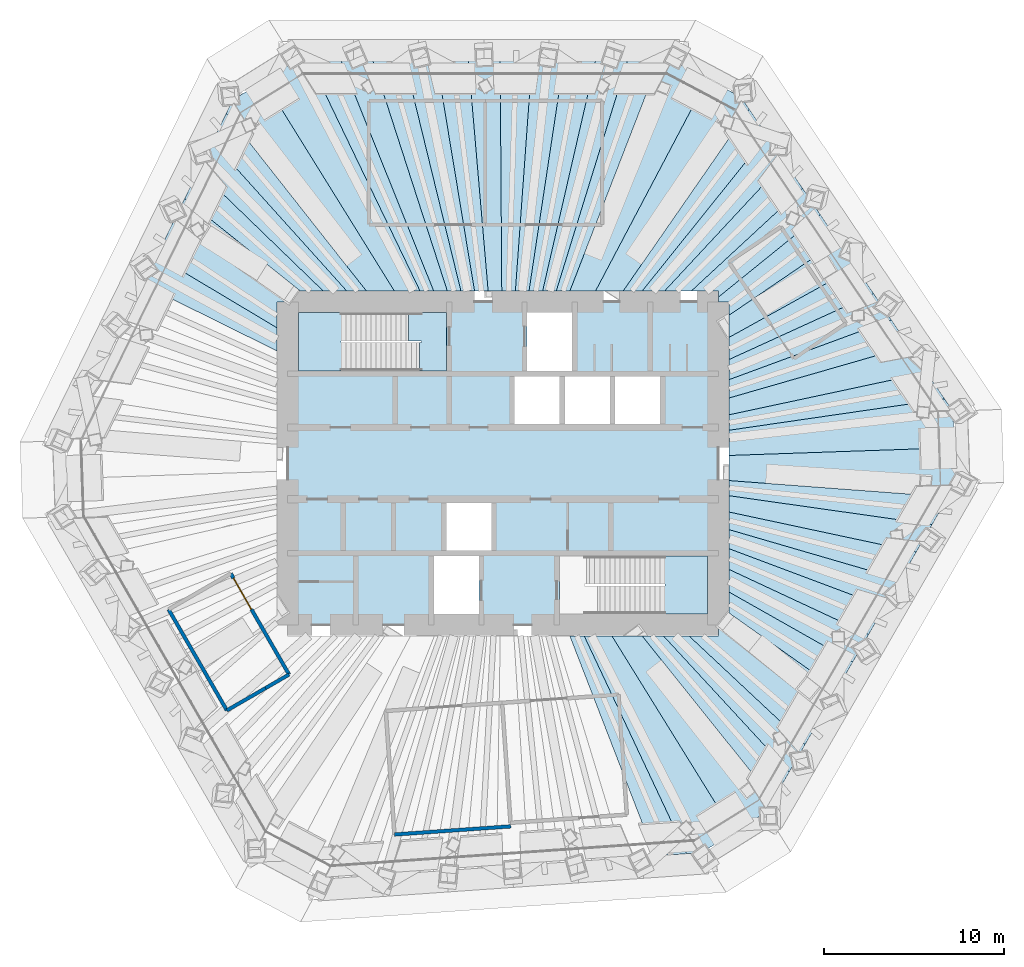
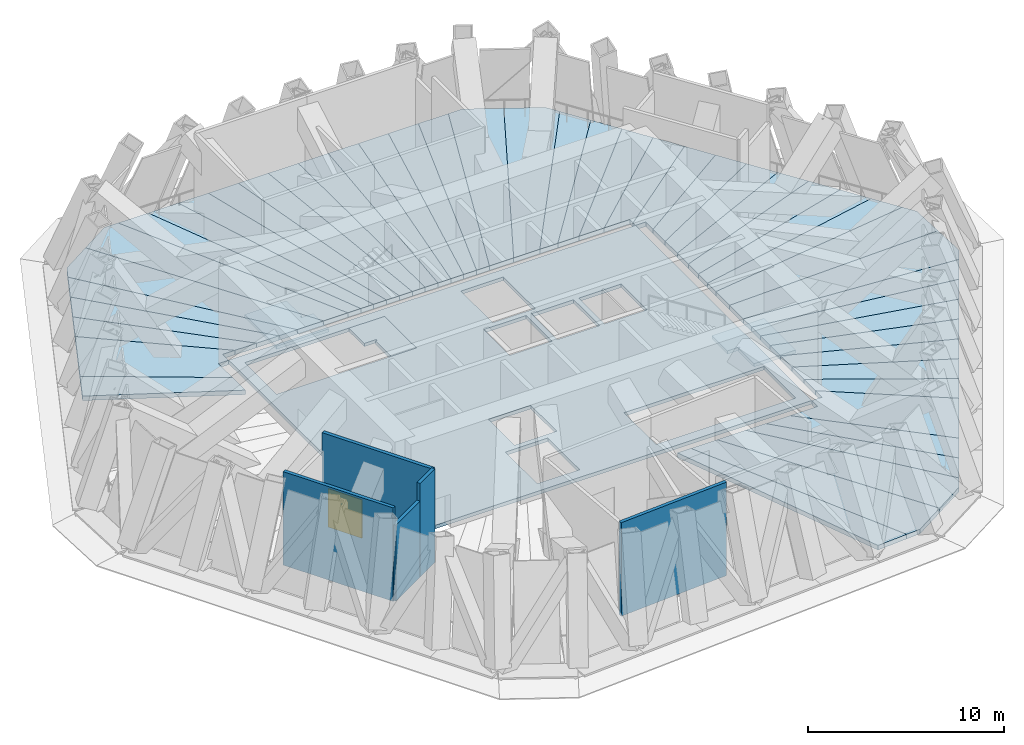
# One storey, part 6 of 12: 50 slabs, 5 walls, 1 door, 1 opening, 2 elements without a shape of their own.
"""IFC4 building model written with IfcOpenShell, lengths in metres."""

import ifcopenshell
import ifcopenshell.guid

model = None  # the IFC model being written
_history = None  # IfcOwnerHistory: only IFC2X3 demands one
_inside = {}  # id of a spatial element -> (the spatial element, [elements in it])
_under = {}  # id of a project, library or spatial element -> (it, [spatial elements below it])
_declared = {}  # id of a project -> (the project, [libraries it declares])
_typed = {}  # id of a type object -> (the type object, [elements of that type])
_made_of = {}  # id of a material, layer set ... -> (it, [elements and type objects made of it])


def new_model(schema):
    """Start an empty IFC model of exactly this schema.

    Asked for "IFC4X3", IfcOpenShell would pick the latest addendum, in which some entities
    have other attributes; the version numbers below select the first issue.
    IFC2X3 requires an IfcOwnerHistory on every rooted entity: one is made here for all.
    """
    global model, _history
    if schema == "IFC4X3":
        model = ifcopenshell.file(schema_version=(4, 3, 0, 0))
    else:
        model = ifcopenshell.file(schema=schema)
    _inside.clear()
    _under.clear()
    _declared.clear()
    _typed.clear()
    _made_of.clear()
    _history = None
    if model.schema == "IFC2X3":
        org = make("IfcOrganization", Name="unknown")
        user = make(
            "IfcPersonAndOrganization",
            ThePerson=make("IfcPerson", FamilyName="unknown"),
            TheOrganization=org,
        )
        app = make(
            "IfcApplication",
            ApplicationDeveloper=org,
            Version="unknown",
            ApplicationFullName="unknown",
            ApplicationIdentifier="unknown",
        )
        _history = make(
            "IfcOwnerHistory",
            OwningUser=user,
            OwningApplication=app,
            ChangeAction="ADDED",
            CreationDate=0,
        )
    return model


def make(cls, **values):
    """One entity of the class cls with the attributes given. An attribute that is None is left unset."""
    return model.create_entity(
        cls, **{name: value for name, value in values.items() if value is not None}
    )


def rooted(cls, **values):
    """An entity with a GlobalId (a new one), such as an element, a storey or a relation."""
    return make(cls, GlobalId=ifcopenshell.guid.new(), OwnerHistory=_history, **values)


def si_unit(unit_type, name, prefix=None):
    """IfcSIUnit, for example si_unit("LENGTHUNIT", "METRE", prefix="MILLI")."""
    return make("IfcSIUnit", UnitType=unit_type, Prefix=prefix, Name=name)


def assignment(units):
    """IfcUnitAssignment: the units of a project."""
    return None if units is None else make("IfcUnitAssignment", Units=units)


def point(xyz):
    """IfcCartesianPoint."""
    return None if xyz is None else make("IfcCartesianPoint", Coordinates=xyz)


def direction(xyz):
    """IfcDirection."""
    return None if xyz is None else make("IfcDirection", DirectionRatios=xyz)


def frame(location, z_axis=None, x_axis=None):
    """IfcAxis2Placement3D, a coordinate frame: its origin and axes. An axis left out is left unset."""
    return make(
        "IfcAxis2Placement3D",
        Location=point(location),
        Axis=direction(z_axis),
        RefDirection=direction(x_axis),
    )


def frame_2d(location, x_axis=None):
    """IfcAxis2Placement2D, a coordinate frame in the plane: its origin and x axis."""
    return make(
        "IfcAxis2Placement2D", Location=point(location), RefDirection=direction(x_axis)
    )


def origin():
    """The frame at (0, 0, 0) with its axes left unset."""
    return frame((0.0, 0.0, 0.0))


def place(relative_to, where):
    """IfcLocalPlacement: puts the frame where relative to a parent placement (None: the world)."""
    return make(
        "IfcLocalPlacement", PlacementRelTo=relative_to, RelativePlacement=where
    )


def context(
    kind, dimensions, precision=None, world=None, true_north=None, identifier=None
):
    """IfcGeometricRepresentationContext, for example the 3D "Model" context."""
    return make(
        "IfcGeometricRepresentationContext",
        ContextIdentifier=identifier,
        ContextType=kind,
        CoordinateSpaceDimension=dimensions,
        Precision=precision,
        WorldCoordinateSystem=world,
        TrueNorth=true_north,
    )


def subcontext(parent, identifier, kind, view, scale=None):
    """IfcGeometricRepresentationSubContext, for example "Body" below "Model"."""
    return make(
        "IfcGeometricRepresentationSubContext",
        ContextIdentifier=identifier,
        ContextType=kind,
        ParentContext=parent,
        TargetScale=scale,
        TargetView=view,
    )


def project(units=None, contexts=None):
    """IfcProject with its units and contexts."""
    return rooted(
        "IfcProject",
        Name="project",
        RepresentationContexts=contexts,
        UnitsInContext=assignment(units),
    )


def spatial(cls, under=None, at=None, **own):
    """A site, building, storey or space (cls), placed at a placement, below another one or the project."""
    s = rooted(cls, ObjectPlacement=at, **own)
    if under is not None:
        _under.setdefault(under.id(), (under, []))[1].append(s)
    return s


def polyline(points):
    """IfcPolyline through the points."""
    return make("IfcPolyline", Points=[point(p) for p in points])


def profile(cls, at=None, kind="AREA", **sizes):
    """A parametric profile (cls). Its sizes go by their IFC names, for example OverallWidth=200.0."""
    return make(cls, ProfileType=kind, Position=at, **sizes)


def rectangle(**sizes):
    """IfcRectangleProfileDef."""
    return profile("IfcRectangleProfileDef", **sizes)


def outline(outer, holes=None, kind="AREA"):
    """IfcArbitraryClosedProfileDef: a profile drawn as a closed curve; with holes, ...WithVoids."""
    if holes is None:
        return make("IfcArbitraryClosedProfileDef", ProfileType=kind, OuterCurve=outer)
    return make(
        "IfcArbitraryProfileDefWithVoids",
        ProfileType=kind,
        OuterCurve=outer,
        InnerCurves=holes,
    )


def extrude(swept, where, along, depth):
    """IfcExtrudedAreaSolid: the profile swept, set in the frame where, extruded along a direction by depth."""
    return make(
        "IfcExtrudedAreaSolid",
        SweptArea=swept,
        Position=where,
        ExtrudedDirection=direction(along),
        Depth=depth,
    )


def shape(context_of_items, identifier, shape_type, items):
    """IfcShapeRepresentation: the items that make up one representation, for example the "Body"."""
    return make(
        "IfcShapeRepresentation",
        ContextOfItems=context_of_items,
        RepresentationIdentifier=identifier,
        RepresentationType=shape_type,
        Items=items,
    )


def material(Name=None, Category=None):
    """IfcMaterial."""
    return make("IfcMaterial", Name=Name, Category=Category)


def layer(
    of_material, thickness, ventilated=None, Name=None, Category=None, Priority=None
):
    """IfcMaterialLayer: one layer of a wall or slab, of a material (None: an air gap)."""
    return make(
        "IfcMaterialLayer",
        Material=of_material,
        LayerThickness=thickness,
        IsVentilated=ventilated,
        Name=Name,
        Category=Category,
        Priority=Priority,
    )


def layer_set(layers, Name=None):
    """IfcMaterialLayerSet."""
    return make("IfcMaterialLayerSet", MaterialLayers=layers, LayerSetName=Name)


def made_of(thing, what):
    """Note that an element or type object is made of a material, layer set ...; save() writes the relation."""
    if what is not None:
        _made_of.setdefault(what.id(), (what, []))[1].append(thing)
    return thing


def type_object(cls, material=None, **own):
    """A type object (cls), such as IfcWallType, which elements share."""
    return made_of(rooted(cls, **own), material)


def element(
    cls,
    number,
    at=None,
    inside=None,
    cuts=None,
    type_object=None,
    material=None,
    context=None,
    identifier="Body",
    shape_type=None,
    held_by="IfcProductDefinitionShape",
    body=None,
    shapes=None,
    **own,
):
    """One element of the class cls, such as IfcWall. Its Tag is "e" and its number.

    at: its placement. inside: the storey or other place that contains it. cuts: it is an
    opening in that element (IfcRelVoidsElement). A single representation is given by context,
    identifier, shape_type and body (its items); several are given by shapes. held_by: the class
    of the entity that holds the representations. save() writes the other relations.
    """
    e = rooted(cls, Tag="e%d" % number, ObjectPlacement=at, **own)
    if body is not None:
        shapes = [shape(context, identifier, shape_type, body)]
    if shapes is not None:
        e.Representation = make(held_by, Representations=shapes)
    if inside is not None:
        _inside.setdefault(inside.id(), (inside, []))[1].append(e)
    if cuts is not None:
        rooted(
            "IfcRelVoidsElement", RelatingBuildingElement=cuts, RelatedOpeningElement=e
        )
    if type_object is not None:
        _typed.setdefault(type_object.id(), (type_object, []))[1].append(e)
    return made_of(e, material)


def fill(opening, filler):
    """IfcRelFillsElement: the door or window that sits in an opening."""
    return rooted(
        "IfcRelFillsElement",
        RelatingOpeningElement=opening,
        RelatedBuildingElement=filler,
    )


def aggregate(whole, parts):
    """IfcRelAggregates: a whole, such as a stair, and the parts it consists of."""
    return rooted("IfcRelAggregates", RelatingObject=whole, RelatedObjects=parts)


def save(model, path):
    """Write the relations noted so far, then the file.

    IfcRelAggregates (storeys below a building ...), IfcRelContainedInSpatialStructure (elements
    in a storey), IfcRelDefinesByType, IfcRelAssociatesMaterial and IfcRelDeclares: one each for
    every whole, place, type object, material and project.
    """
    for whole, parts in _under.values():
        aggregate(whole, parts)
    for where, things in _inside.values():
        rooted(
            "IfcRelContainedInSpatialStructure",
            RelatedElements=things,
            RelatingStructure=where,
        )
    for kind, things in _typed.values():
        rooted("IfcRelDefinesByType", RelatedObjects=things, RelatingType=kind)
    for what, things in _made_of.values():
        rooted("IfcRelAssociatesMaterial", RelatedObjects=things, RelatingMaterial=what)
    for by, libraries in _declared.values():
        rooted("IfcRelDeclares", RelatingContext=by, RelatedDefinitions=libraries)
    model.write(path)


model = new_model("IFC4")

# Units and contexts
model_context = context("Model", 3, precision=1e-05, world=origin(), true_north=direction((0.0, 1.0)))
body_context = subcontext(model_context, "Body", "Model", "MODEL_VIEW")
ifc_project = project(units=[si_unit("LENGTHUNIT", "METRE"), si_unit("AREAUNIT", "SQUARE_METRE"), si_unit("VOLUMEUNIT", "CUBIC_METRE"), si_unit("PLANEANGLEUNIT", "RADIAN"), si_unit("MASSUNIT", "GRAM", prefix="KILO")], contexts=[model_context])

# Site, building, storey
site_placement = place(None, origin())
site = spatial("IfcSite", under=ifc_project, at=site_placement, CompositionType="ELEMENT")
building_placement = place(site_placement, origin())
building = spatial("IfcBuilding", under=site, at=building_placement, Name="Qingtian Harvest Tower", CompositionType="ELEMENT")
storey_placement = place(building_placement, frame((0.0, 0.0, 256.0)))
storey = spatial("IfcBuildingStorey", under=building, at=storey_placement, Name="L56", CompositionType="ELEMENT", Elevation=256.0)

# Slabs
ifc_material_1 = material(Name="Concrete fc' 35 MPa", Category="concrete")
ifc_layer_1 = layer(ifc_material_1, 0.280029296875)
ifc_layer_set_1 = layer_set([ifc_layer_1], Name="Composite floor slab FS28 280")
slab_type_1 = type_object("IfcSlabType", Name="Composite floor slab FS28 280", PredefinedType="FLOOR", material=ifc_layer_set_1)
slab_1_placement = place(storey_placement, frame((0.0, 0.0, -0.280029296875)))
element("IfcSlab", 1, at=slab_1_placement, inside=storey, type_object=slab_type_1, Name="Floor slab L56 panel D25", PredefinedType="FLOOR", context=body_context, shape_type="SweptSolid", body=[
    extrude(outline(polyline([(4.5185546875, -9.60009765625), (10.23193359375, -21.744140625), (8.466552734375, -21.86767578125), (3.718017578125, -9.60009765625), (4.5185546875, -9.60009765625)])), origin(), (0.0, 0.0, 1.0), 0.280029296875),
])
slab_2_placement = place(storey_placement, frame((0.0, 0.0, -0.280029296875)))
element("IfcSlab", 2, at=slab_2_placement, inside=storey, type_object=slab_type_1, Name="Floor slab L56 panel D26", PredefinedType="FLOOR", context=body_context, shape_type="SweptSolid", body=[
    extrude(outline(polyline([(4.5185546875, -9.60009765625), (6.059326171875, -9.60009765625), (12.851806640625, -20.5625), (11.052734375, -21.686767578125), (10.23193359375, -21.744140625), (4.5185546875, -9.60009765625)])), origin(), (0.0, 0.0, 1.0), 0.280029296875),
])
slab_3_placement = place(storey_placement, frame((0.0, 0.0, -0.280029296875)))
element("IfcSlab", 3, at=slab_3_placement, inside=storey, type_object=slab_type_1, Name="Floor slab L56 panel D27", PredefinedType="FLOOR", context=body_context, shape_type="SweptSolid", body=[
    extrude(outline(polyline([(6.059326171875, -9.60009765625), (7.740966796875, -9.60009765625), (15.05859375, -18.7275390625), (14.646728515625, -19.44091796875), (12.851806640625, -20.5625), (6.059326171875, -9.60009765625)])), origin(), (0.0, 0.0, 1.0), 0.280029296875),
])
slab_4_placement = place(storey_placement, frame((0.0, 0.0, -0.280029296875)))
element("IfcSlab", 4, at=slab_4_placement, inside=storey, type_object=slab_type_1, Name="Floor slab L56 panel D28", PredefinedType="FLOOR", context=body_context, shape_type="SweptSolid", body=[
    extrude(outline(polyline([(8.929443359375, -9.60009765625), (15.94384765625, -17.194580078125), (15.05859375, -18.7275390625), (7.740966796875, -9.60009765625), (8.929443359375, -9.60009765625)])), origin(), (0.0, 0.0, 1.0), 0.280029296875),
])
slab_5_placement = place(storey_placement, frame((0.0, 0.0, -0.280029296875)))
element("IfcSlab", 5, at=slab_5_placement, inside=storey, type_object=slab_type_1, Name="Floor slab L56 panel D29", PredefinedType="FLOOR", context=body_context, shape_type="SweptSolid", body=[
    extrude(outline(polyline([(10.35205078125, -9.60009765625), (16.828857421875, -15.66162109375), (15.94384765625, -17.194580078125), (8.929443359375, -9.60009765625), (10.35205078125, -9.60009765625)])), origin(), (0.0, 0.0, 1.0), 0.280029296875),
])
slab_6_placement = place(storey_placement, frame((0.0, 0.0, -0.280029296875)))
element("IfcSlab", 6, at=slab_6_placement, inside=storey, type_object=slab_type_1, Name="Floor slab L56 panel D31", PredefinedType="FLOOR", context=body_context, shape_type="SweptSolid", body=[
    extrude(outline(polyline([(12.60009765625, -8.33984375), (18.603759765625, -12.587158203125), (16.828857421875, -15.66162109375), (10.35205078125, -9.60009765625), (12.0, -9.60009765625), (12.0, -9.0), (12.60009765625, -9.0), (12.60009765625, -8.33984375)])), origin(), (0.0, 0.0, 1.0), 0.280029296875),
])
slab_7_placement = place(storey_placement, frame((0.0, 0.0, -0.280029296875)))
element("IfcSlab", 7, at=slab_7_placement, inside=storey, type_object=slab_type_1, Name="Floor slab L56 panel D32", PredefinedType="FLOOR", context=body_context, shape_type="SweptSolid", body=[
    extrude(outline(polyline([(12.60009765625, -7.171142578125), (19.482177734375, -11.06591796875), (18.603759765625, -12.587158203125), (12.60009765625, -8.33984375), (12.60009765625, -7.171142578125)])), origin(), (0.0, 0.0, 1.0), 0.280029296875),
])
slab_8_placement = place(storey_placement, frame((0.0, 0.0, -0.280029296875)))
element("IfcSlab", 8, at=slab_8_placement, inside=storey, type_object=slab_type_1, Name="Floor slab L56 panel D33", PredefinedType="FLOOR", context=body_context, shape_type="SweptSolid", body=[
    extrude(outline(polyline([(12.60009765625, -5.91015625), (20.3671875, -9.532958984375), (19.482177734375, -11.06591796875), (12.60009765625, -7.171142578125), (12.60009765625, -5.91015625)])), origin(), (0.0, 0.0, 1.0), 0.280029296875),
])
slab_9_placement = place(storey_placement, frame((0.0, 0.0, -0.280029296875)))
element("IfcSlab", 9, at=slab_9_placement, inside=storey, type_object=slab_type_1, Name="Floor slab L56 panel D34", PredefinedType="FLOOR", context=body_context, shape_type="SweptSolid", body=[
    extrude(outline(polyline([(12.60009765625, -4.75439453125), (21.252197265625, -8.000244140625), (20.3671875, -9.532958984375), (12.60009765625, -5.91015625), (12.60009765625, -4.75439453125)])), origin(), (0.0, 0.0, 1.0), 0.280029296875),
])
slab_10_placement = place(storey_placement, frame((0.0, 0.0, -0.280029296875)))
element("IfcSlab", 10, at=slab_10_placement, inside=storey, type_object=slab_type_1, Name="Floor slab L56 panel D35", PredefinedType="FLOOR", context=body_context, shape_type="SweptSolid", body=[
    extrude(outline(polyline([(12.60009765625, -3.691162109375), (22.136962890625, -6.467529296875), (21.252197265625, -8.000244140625), (12.60009765625, -4.75439453125), (12.60009765625, -3.691162109375)])), origin(), (0.0, 0.0, 1.0), 0.280029296875),
])
slab_11_placement = place(storey_placement, frame((0.0, 0.0, -0.280029296875)))
element("IfcSlab", 11, at=slab_11_placement, inside=storey, type_object=slab_type_1, Name="Floor slab L56 panel D36", PredefinedType="FLOOR", context=body_context, shape_type="SweptSolid", body=[
    extrude(outline(polyline([(12.60009765625, -2.709716796875), (23.02197265625, -4.934814453125), (22.136962890625, -6.467529296875), (12.60009765625, -3.691162109375), (12.60009765625, -2.709716796875)])), origin(), (0.0, 0.0, 1.0), 0.280029296875),
])
slab_12_placement = place(storey_placement, frame((0.0, 0.0, -0.280029296875)))
element("IfcSlab", 12, at=slab_12_placement, inside=storey, type_object=slab_type_1, Name="Floor slab L56 panel D37", PredefinedType="FLOOR", context=body_context, shape_type="SweptSolid", body=[
    extrude(outline(polyline([(12.60009765625, -1.801025390625), (23.906982421875, -3.402099609375), (23.02197265625, -4.934814453125), (12.60009765625, -2.709716796875), (12.60009765625, -1.801025390625)])), origin(), (0.0, 0.0, 1.0), 0.280029296875),
])
slab_13_placement = place(storey_placement, frame((0.0, 0.0, -0.280029296875)))
element("IfcSlab", 13, at=slab_13_placement, inside=storey, type_object=slab_type_1, Name="Floor slab L56 panel D38", PredefinedType="FLOOR", context=body_context, shape_type="SweptSolid", body=[
    extrude(outline(polyline([(12.60009765625, -0.95703125), (24.791748046875, -1.869384765625), (23.906982421875, -3.402099609375), (12.60009765625, -1.801025390625), (12.60009765625, -0.95703125)])), origin(), (0.0, 0.0, 1.0), 0.280029296875),
])
slab_14_placement = place(storey_placement, frame((0.0, 0.0, -0.280029296875)))
element("IfcSlab", 14, at=slab_14_placement, inside=storey, type_object=slab_type_1, Name="Floor slab L56 panel D39", PredefinedType="FLOOR", context=body_context, shape_type="SweptSolid", body=[
    extrude(outline(polyline([(12.60009765625, -0.95703125), (12.60009765625, 0.442626953125), (25.13232421875, 0.877685546875), (25.203369140625, -1.156494140625), (24.791748046875, -1.869384765625), (12.60009765625, -0.95703125)])), origin(), (0.0, 0.0, 1.0), 0.280029296875),
])
slab_15_placement = place(storey_placement, frame((0.0, 0.0, -0.280029296875)))
element("IfcSlab", 15, at=slab_15_placement, inside=storey, type_object=slab_type_1, Name="Floor slab L56 panel D40", PredefinedType="FLOOR", context=body_context, shape_type="SweptSolid", body=[
    extrude(outline(polyline([(12.60009765625, 0.442626953125), (12.60009765625, 1.848876953125), (24.60107421875, 3.59423828125), (25.061279296875, 2.91162109375), (25.13232421875, 0.877685546875), (12.60009765625, 0.442626953125)])), origin(), (0.0, 0.0, 1.0), 0.280029296875),
])
slab_16_placement = place(storey_placement, frame((0.0, 0.0, -0.280029296875)))
element("IfcSlab", 16, at=slab_16_placement, inside=storey, type_object=slab_type_1, Name="Floor slab L56 panel D41", PredefinedType="FLOOR", context=body_context, shape_type="SweptSolid", body=[
    extrude(outline(polyline([(12.60009765625, 2.710205078125), (23.611328125, 5.0615234375), (24.60107421875, 3.59423828125), (12.60009765625, 1.848876953125), (12.60009765625, 2.710205078125)])), origin(), (0.0, 0.0, 1.0), 0.280029296875),
])
slab_17_placement = place(storey_placement, frame((0.0, 0.0, -0.280029296875)))
element("IfcSlab", 17, at=slab_17_placement, inside=storey, type_object=slab_type_1, Name="Floor slab L56 panel D42", PredefinedType="FLOOR", context=body_context, shape_type="SweptSolid", body=[
    extrude(outline(polyline([(12.60009765625, 3.646728515625), (22.62158203125, 6.52880859375), (23.611328125, 5.0615234375), (12.60009765625, 2.710205078125), (12.60009765625, 3.646728515625)])), origin(), (0.0, 0.0, 1.0), 0.280029296875),
])
slab_18_placement = place(storey_placement, frame((0.0, 0.0, -0.280029296875)))
element("IfcSlab", 18, at=slab_18_placement, inside=storey, type_object=slab_type_1, Name="Floor slab L56 panel D43", PredefinedType="FLOOR", context=body_context, shape_type="SweptSolid", body=[
    extrude(outline(polyline([(12.60009765625, 4.669189453125), (21.6318359375, 7.99609375), (22.62158203125, 6.52880859375), (12.60009765625, 3.646728515625), (12.60009765625, 4.669189453125)])), origin(), (0.0, 0.0, 1.0), 0.280029296875),
])
slab_19_placement = place(storey_placement, frame((0.0, 0.0, -0.280029296875)))
element("IfcSlab", 19, at=slab_19_placement, inside=storey, type_object=slab_type_1, Name="Floor slab L56 panel D44", PredefinedType="FLOOR", context=body_context, shape_type="SweptSolid", body=[
    extrude(outline(polyline([(12.60009765625, 5.7900390625), (20.64208984375, 9.46337890625), (21.6318359375, 7.99609375), (12.60009765625, 4.669189453125), (12.60009765625, 5.7900390625)])), origin(), (0.0, 0.0, 1.0), 0.280029296875),
])
slab_20_placement = place(storey_placement, frame((0.0, 0.0, -0.280029296875)))
element("IfcSlab", 20, at=slab_20_placement, inside=storey, type_object=slab_type_1, Name="Floor slab L56 panel D45", PredefinedType="FLOOR", context=body_context, shape_type="SweptSolid", body=[
    extrude(outline(polyline([(12.60009765625, 7.023681640625), (19.65234375, 10.9306640625), (20.64208984375, 9.46337890625), (12.60009765625, 5.7900390625), (12.60009765625, 7.023681640625)])), origin(), (0.0, 0.0, 1.0), 0.280029296875),
])
slab_21_placement = place(storey_placement, frame((0.0, 0.0, -0.280029296875)))
element("IfcSlab", 21, at=slab_21_placement, inside=storey, type_object=slab_type_1, Name="Floor slab L56 panel D46", PredefinedType="FLOOR", context=body_context, shape_type="SweptSolid", body=[
    extrude(outline(polyline([(12.60009765625, 8.260498046875), (18.667236328125, 12.391357421875), (19.65234375, 10.9306640625), (12.60009765625, 7.023681640625), (12.60009765625, 8.260498046875)])), origin(), (0.0, 0.0, 1.0), 0.280029296875),
])
slab_22_placement = place(storey_placement, frame((0.0, 0.0, -0.280029296875)))
element("IfcSlab", 22, at=slab_22_placement, inside=storey, type_object=slab_type_1, Name="Floor slab L56 panel D47", PredefinedType="FLOOR", context=body_context, shape_type="SweptSolid", body=[
    extrude(outline(polyline([(12.60009765625, 9.0), (12.0, 9.0), (12.0, 9.2666015625), (17.6787109375, 13.857177734375), (18.667236328125, 12.391357421875), (12.60009765625, 8.260498046875), (12.60009765625, 9.0)])), origin(), (0.0, 0.0, 1.0), 0.280029296875),
])
slab_23_placement = place(storey_placement, frame((0.0, 0.0, -0.280029296875)))
element("IfcSlab", 23, at=slab_23_placement, inside=storey, type_object=slab_type_1, Name="Floor slab L56 panel D48", PredefinedType="FLOOR", context=body_context, shape_type="SweptSolid", body=[
    extrude(outline(polyline([(12.0, 9.60009765625), (10.48583984375, 9.60009765625), (16.68505859375, 15.330078125), (17.6787109375, 13.857177734375), (12.0, 9.2666015625), (12.0, 9.60009765625)])), origin(), (0.0, 0.0, 1.0), 0.280029296875),
])
slab_24_placement = place(storey_placement, frame((0.0, 0.0, -0.280029296875)))
element("IfcSlab", 24, at=slab_24_placement, inside=storey, type_object=slab_type_1, Name="Floor slab L56 panel D49", PredefinedType="FLOOR", context=body_context, shape_type="SweptSolid", body=[
    extrude(outline(polyline([(8.998291015625, 9.60009765625), (15.695068359375, 16.797607421875), (16.68505859375, 15.330078125), (10.48583984375, 9.60009765625), (8.998291015625, 9.60009765625)])), origin(), (0.0, 0.0, 1.0), 0.280029296875),
])
slab_25_placement = place(storey_placement, frame((0.0, 0.0, -0.280029296875)))
element("IfcSlab", 25, at=slab_25_placement, inside=storey, type_object=slab_type_1, Name="Floor slab L56 panel D50", PredefinedType="FLOOR", context=body_context, shape_type="SweptSolid", body=[
    extrude(outline(polyline([(7.751220703125, 9.60009765625), (14.705322265625, 18.26513671875), (15.695068359375, 16.797607421875), (8.998291015625, 9.60009765625), (7.751220703125, 9.60009765625)])), origin(), (0.0, 0.0, 1.0), 0.280029296875),
])
slab_26_placement = place(storey_placement, frame((0.0, 0.0, -0.280029296875)))
element("IfcSlab", 26, at=slab_26_placement, inside=storey, type_object=slab_type_1, Name="Floor slab L56 panel D51", PredefinedType="FLOOR", context=body_context, shape_type="SweptSolid", body=[
    extrude(outline(polyline([(6.6904296875, 9.60009765625), (13.715576171875, 19.732421875), (14.705322265625, 18.26513671875), (7.751220703125, 9.60009765625), (6.6904296875, 9.60009765625)])), origin(), (0.0, 0.0, 1.0), 0.280029296875),
])
slab_27_placement = place(storey_placement, frame((0.0, 0.0, -0.280029296875)))
element("IfcSlab", 27, at=slab_27_placement, inside=storey, type_object=slab_type_1, Name="Floor slab L56 panel D52", PredefinedType="FLOOR", context=body_context, shape_type="SweptSolid", body=[
    extrude(outline(polyline([(6.6904296875, 9.60009765625), (5.15185546875, 9.60009765625), (11.3857421875, 21.4091796875), (13.255126953125, 20.415283203125), (13.715576171875, 19.732421875), (6.6904296875, 9.60009765625)])), origin(), (0.0, 0.0, 1.0), 0.280029296875),
])
slab_28_placement = place(storey_placement, frame((0.0, 0.0, -0.280029296875)))
element("IfcSlab", 28, at=slab_28_placement, inside=storey, type_object=slab_type_1, Name="Floor slab L56 panel D53", PredefinedType="FLOOR", context=body_context, shape_type="SweptSolid", body=[
    extrude(outline(polyline([(3.7236328125, 9.60009765625), (8.690185546875, 22.405029296875), (9.512939453125, 22.405029296875), (11.3857421875, 21.4091796875), (5.15185546875, 9.60009765625), (3.7236328125, 9.60009765625)])), origin(), (0.0, 0.0, 1.0), 0.280029296875),
])
slab_29_placement = place(storey_placement, frame((0.0, 0.0, -0.280029296875)))
element("IfcSlab", 29, at=slab_29_placement, inside=storey, type_object=slab_type_1, Name="Floor slab L56 panel D54", PredefinedType="FLOOR", context=body_context, shape_type="SweptSolid", body=[
    extrude(outline(polyline([(2.96533203125, 9.60009765625), (6.92041015625, 22.405029296875), (8.690185546875, 22.405029296875), (3.7236328125, 9.60009765625), (2.96533203125, 9.60009765625)])), origin(), (0.0, 0.0, 1.0), 0.280029296875),
])
slab_30_placement = place(storey_placement, frame((0.0, 0.0, -0.280029296875)))
element("IfcSlab", 30, at=slab_30_placement, inside=storey, type_object=slab_type_1, Name="Floor slab L56 panel D55", PredefinedType="FLOOR", context=body_context, shape_type="SweptSolid", body=[
    extrude(outline(polyline([(2.206787109375, 9.60009765625), (5.150634765625, 22.405029296875), (6.92041015625, 22.405029296875), (2.96533203125, 9.60009765625), (2.206787109375, 9.60009765625)])), origin(), (0.0, 0.0, 1.0), 0.280029296875),
])
slab_31_placement = place(storey_placement, frame((0.0, 0.0, -0.280029296875)))
element("IfcSlab", 31, at=slab_31_placement, inside=storey, type_object=slab_type_1, Name="Floor slab L56 panel D56", PredefinedType="FLOOR", context=body_context, shape_type="SweptSolid", body=[
    extrude(outline(polyline([(1.448486328125, 9.60009765625), (3.380859375, 22.405029296875), (5.150634765625, 22.405029296875), (2.206787109375, 9.60009765625), (1.448486328125, 9.60009765625)])), origin(), (0.0, 0.0, 1.0), 0.280029296875),
])
slab_32_placement = place(storey_placement, frame((0.0, 0.0, -0.280029296875)))
element("IfcSlab", 32, at=slab_32_placement, inside=storey, type_object=slab_type_1, Name="Floor slab L56 panel D57", PredefinedType="FLOOR", context=body_context, shape_type="SweptSolid", body=[
    extrude(outline(polyline([(0.690185546875, 9.60009765625), (1.611083984375, 22.405029296875), (3.380859375, 22.405029296875), (1.448486328125, 9.60009765625), (0.690185546875, 9.60009765625)])), origin(), (0.0, 0.0, 1.0), 0.280029296875),
])
slab_33_placement = place(storey_placement, frame((0.0, 0.0, -0.280029296875)))
element("IfcSlab", 33, at=slab_33_placement, inside=storey, type_object=slab_type_1, Name="Floor slab L56 panel D58", PredefinedType="FLOOR", context=body_context, shape_type="SweptSolid", body=[
    extrude(outline(polyline([(-0.068115234375, 9.60009765625), (-0.15869140625, 22.405029296875), (1.611083984375, 22.405029296875), (0.690185546875, 9.60009765625), (-0.068115234375, 9.60009765625)])), origin(), (0.0, 0.0, 1.0), 0.280029296875),
])
slab_34_placement = place(storey_placement, frame((0.0, 0.0, -0.280029296875)))
element("IfcSlab", 34, at=slab_34_placement, inside=storey, type_object=slab_type_1, Name="Floor slab L56 panel D59", PredefinedType="FLOOR", context=body_context, shape_type="SweptSolid", body=[
    extrude(outline(polyline([(-0.826416015625, 9.60009765625), (-1.928466796875, 22.405029296875), (-0.15869140625, 22.405029296875), (-0.068115234375, 9.60009765625), (-0.826416015625, 9.60009765625)])), origin(), (0.0, 0.0, 1.0), 0.280029296875),
])
slab_35_placement = place(storey_placement, frame((0.0, 0.0, -0.280029296875)))
element("IfcSlab", 35, at=slab_35_placement, inside=storey, type_object=slab_type_1, Name="Floor slab L56 panel D60", PredefinedType="FLOOR", context=body_context, shape_type="SweptSolid", body=[
    extrude(outline(polyline([(-1.584716796875, 9.60009765625), (-3.6982421875, 22.405029296875), (-1.928466796875, 22.405029296875), (-0.826416015625, 9.60009765625), (-1.584716796875, 9.60009765625)])), origin(), (0.0, 0.0, 1.0), 0.280029296875),
])
slab_36_placement = place(storey_placement, frame((0.0, 0.0, -0.280029296875)))
element("IfcSlab", 36, at=slab_36_placement, inside=storey, type_object=slab_type_1, Name="Floor slab L56 panel D61", PredefinedType="FLOOR", context=body_context, shape_type="SweptSolid", body=[
    extrude(outline(polyline([(-2.343017578125, 9.60009765625), (-5.468017578125, 22.405029296875), (-3.6982421875, 22.405029296875), (-1.584716796875, 9.60009765625), (-2.343017578125, 9.60009765625)])), origin(), (0.0, 0.0, 1.0), 0.280029296875),
])
slab_37_placement = place(storey_placement, frame((0.0, 0.0, -0.280029296875)))
element("IfcSlab", 37, at=slab_37_placement, inside=storey, type_object=slab_type_1, Name="Floor slab L56 panel D62", PredefinedType="FLOOR", context=body_context, shape_type="SweptSolid", body=[
    extrude(outline(polyline([(-3.101318359375, 9.60009765625), (-7.23779296875, 22.405029296875), (-5.468017578125, 22.405029296875), (-2.343017578125, 9.60009765625), (-3.101318359375, 9.60009765625)])), origin(), (0.0, 0.0, 1.0), 0.280029296875),
])
slab_38_placement = place(storey_placement, frame((0.0, 0.0, -0.280029296875)))
element("IfcSlab", 38, at=slab_38_placement, inside=storey, type_object=slab_type_1, Name="Floor slab L56 panel D63", PredefinedType="FLOOR", context=body_context, shape_type="SweptSolid", body=[
    extrude(outline(polyline([(-3.859619140625, 9.60009765625), (-9.007568359375, 22.405029296875), (-7.23779296875, 22.405029296875), (-3.101318359375, 9.60009765625), (-3.859619140625, 9.60009765625)])), origin(), (0.0, 0.0, 1.0), 0.280029296875),
])
slab_39_placement = place(storey_placement, frame((0.0, 0.0, -0.280029296875)))
element("IfcSlab", 39, at=slab_39_placement, inside=storey, type_object=slab_type_1, Name="Floor slab L56 panel D64", PredefinedType="FLOOR", context=body_context, shape_type="SweptSolid", body=[
    extrude(outline(polyline([(-4.617919921875, 9.60009765625), (-10.77734375, 22.405029296875), (-9.007568359375, 22.405029296875), (-3.859619140625, 9.60009765625), (-4.617919921875, 9.60009765625)])), origin(), (0.0, 0.0, 1.0), 0.280029296875),
])
slab_40_placement = place(storey_placement, frame((0.0, 0.0, -0.280029296875)))
element("IfcSlab", 40, at=slab_40_placement, inside=storey, type_object=slab_type_1, Name="Floor slab L56 panel D65", PredefinedType="FLOOR", context=body_context, shape_type="SweptSolid", body=[
    extrude(outline(polyline([(-4.617919921875, 9.60009765625), (-6.050537109375, 9.60009765625), (-13.328125, 21.325439453125), (-11.60009765625, 22.405029296875), (-10.77734375, 22.405029296875), (-4.617919921875, 9.60009765625)])), origin(), (0.0, 0.0, 1.0), 0.280029296875),
])
slab_41_placement = place(storey_placement, frame((0.0, 0.0, -0.280029296875)))
element("IfcSlab", 41, at=slab_41_placement, inside=storey, type_object=slab_type_1, Name="Floor slab L56 panel D66", PredefinedType="FLOOR", context=body_context, shape_type="SweptSolid", body=[
    extrude(outline(polyline([(-6.050537109375, 9.60009765625), (-7.60498046875, 9.60009765625), (-15.413330078125, 19.507568359375), (-15.05224609375, 20.247802734375), (-13.328125, 21.325439453125), (-6.050537109375, 9.60009765625)])), origin(), (0.0, 0.0, 1.0), 0.280029296875),
])
slab_42_placement = place(storey_placement, frame((0.0, 0.0, -0.280029296875)))
element("IfcSlab", 42, at=slab_42_placement, inside=storey, type_object=slab_type_1, Name="Floor slab L56 panel D67", PredefinedType="FLOOR", context=body_context, shape_type="SweptSolid", body=[
    extrude(outline(polyline([(-8.699951171875, 9.60009765625), (-16.189208984375, 17.916748046875), (-15.413330078125, 19.507568359375), (-7.60498046875, 9.60009765625), (-8.699951171875, 9.60009765625)])), origin(), (0.0, 0.0, 1.0), 0.280029296875),
])
slab_43_placement = place(storey_placement, frame((0.0, 0.0, -0.280029296875)))
element("IfcSlab", 43, at=slab_43_placement, inside=storey, type_object=slab_type_1, Name="Floor slab L56 panel D68", PredefinedType="FLOOR", context=body_context, shape_type="SweptSolid", body=[
    extrude(outline(polyline([(-10.009765625, 9.60009765625), (-16.96533203125, 16.32568359375), (-16.189208984375, 17.916748046875), (-8.699951171875, 9.60009765625), (-10.009765625, 9.60009765625)])), origin(), (0.0, 0.0, 1.0), 0.280029296875),
])
slab_44_placement = place(storey_placement, frame((0.0, 0.0, -0.280029296875)))
element("IfcSlab", 44, at=slab_44_placement, inside=storey, type_object=slab_type_1, Name="Floor slab L56 panel D69", PredefinedType="FLOOR", context=body_context, shape_type="SweptSolid", body=[
    extrude(outline(polyline([(-11.28759765625, 9.60009765625), (-17.735107421875, 14.747314453125), (-16.96533203125, 16.32568359375), (-10.009765625, 9.60009765625), (-11.28759765625, 9.60009765625)])), origin(), (0.0, 0.0, 1.0), 0.280029296875),
])
slab_45_placement = place(storey_placement, frame((0.0, 0.0, -0.280029296875)))
element("IfcSlab", 45, at=slab_45_placement, inside=storey, type_object=slab_type_1, Name="Floor slab L56 panel D70", PredefinedType="FLOOR", context=body_context, shape_type="SweptSolid", body=[
    extrude(outline(polyline([(-12.0, 9.0), (-12.60009765625, 9.0), (-12.60009765625, 7.560302734375), (-19.291748046875, 11.5556640625), (-17.735107421875, 14.747314453125), (-11.28759765625, 9.60009765625), (-12.0, 9.60009765625), (-12.0, 9.0)])), origin(), (0.0, 0.0, 1.0), 0.280029296875),
])
slab_46_placement = place(storey_placement, frame((0.0, 0.0, -0.280029296875)))
element("IfcSlab", 46, at=slab_46_placement, inside=storey, type_object=slab_type_1, Name="Floor slab L56 panel D72", PredefinedType="FLOOR", context=body_context, shape_type="SweptSolid", body=[
    extrude(outline(polyline([(-12.60009765625, 6.268310546875), (-20.067626953125, 9.965087890625), (-19.291748046875, 11.5556640625), (-12.60009765625, 7.560302734375), (-12.60009765625, 6.268310546875)])), origin(), (0.0, 0.0, 1.0), 0.280029296875),
])
ifc_material_2 = material(Name="Concrete fc' 35 MPa", Category="concrete")
ifc_layer_2 = layer(ifc_material_2, 0.219970703125)
ifc_layer_set_2 = layer_set([ifc_layer_2], Name="Core floor slab CS22 220")
slab_type_2 = type_object("IfcSlabType", Name="Core floor slab CS22 220", PredefinedType="FLOOR", material=ifc_layer_set_2)
slab_47_placement = place(storey_placement, frame((0.0, 0.0, -0.219970703125)))
element("IfcSlab", 47, at=slab_47_placement, inside=storey, type_object=slab_type_2, Name="Core floor slab L56", PredefinedType="FLOOR", context=body_context, shape_type="SweptSolid", body=[
    extrude(outline(polyline([(-12.0, -9.0), (12.0, -9.0), (12.0, 9.0), (-12.0, 9.0), (-12.0, -9.0)]), holes=[polyline([(-11.39990234375, 5.14990234375), (-3.14990234375, 5.14990234375), (-3.14990234375, 8.39990234375), (-11.39990234375, 8.39990234375), (-11.39990234375, 5.14990234375)]), polyline([(3.14990234375, -8.39990234375), (11.39990234375, -8.39990234375), (11.39990234375, -5.14990234375), (3.14990234375, -5.14990234375), (3.14990234375, -8.39990234375)]), polyline([(1.35009765625, 5.14990234375), (3.85009765625, 5.14990234375), (3.85009765625, 8.39990234375), (1.35009765625, 8.39990234375), (1.35009765625, 5.14990234375)]), polyline([(-3.85009765625, -8.39990234375), (-1.35009765625, -8.39990234375), (-1.35009765625, -5.14990234375), (-3.85009765625, -5.14990234375), (-3.85009765625, -8.39990234375)]), polyline([(0.64990234375, 2.199951171875), (3.14990234375, 2.199951171875), (3.14990234375, 4.85009765625), (0.64990234375, 4.85009765625), (0.64990234375, 2.199951171875)]), polyline([(3.449951171875, 2.199951171875), (5.949951171875, 2.199951171875), (5.949951171875, 4.85009765625), (3.449951171875, 4.85009765625), (3.449951171875, 2.199951171875)]), polyline([(6.25, 2.199951171875), (8.75, 2.199951171875), (8.75, 4.85009765625), (6.25, 4.85009765625), (6.25, 2.199951171875)]), polyline([(-3.14990234375, -4.85009765625), (-0.64990234375, -4.85009765625), (-0.64990234375, -2.199951171875), (-3.14990234375, -2.199951171875), (-3.14990234375, -4.85009765625)])]), origin(), (0.0, 0.0, 1.0), 0.219970703125),
])

# Stair, slabs
ifc_material_3 = material(Name="Concrete fc' 35 MPa", Category="concrete")
stair_type = type_object("IfcStairType", Name="Special stair ST5 6000", PredefinedType="HALF_TURN_STAIR", material=ifc_material_3)
stair_1_placement = place(storey_placement, origin())
stair_1 = element("IfcStair", 48, at=stair_1_placement, inside=storey, type_object=stair_type, Name="Special stair S1 L56", PredefinedType="HALF_TURN_STAIR")
ifc_material_4 = material(Name="Concrete fc' 35 MPa", Category="concrete")
ifc_layer_3 = layer(ifc_material_4, 0.199951171875)
ifc_layer_set_3 = layer_set([ifc_layer_3], Name="Stair landing SL2 200")
slab_type_3 = type_object("IfcSlabType", Name="Stair landing SL2 200", PredefinedType="LANDING", material=ifc_layer_set_3)
slab_48_placement = place(storey_placement, frame((0.0, 0.0, -0.199951171875)))
slab_48 = element("IfcSlab", 49, at=slab_48_placement, type_object=slab_type_3, Name="S1 landing 1", PredefinedType="LANDING", context=body_context, shape_type="SweptSolid", body=[
    extrude(outline(polyline([(-4.64990234375, 5.14990234375), (-4.64990234375, 6.72509765625), (-4.550048828125, 6.72509765625), (-4.550048828125, 6.824951171875), (-5.260009765625, 6.824951171875), (-5.260009765625, 8.39990234375), (-3.14990234375, 8.39990234375), (-3.14990234375, 5.14990234375), (-4.64990234375, 5.14990234375)])), origin(), (0.0, 0.0, 1.0), 0.199951171875),
])
slab_49_placement = place(storey_placement, frame((0.0, 0.0, 2.800048828125)))
slab_49 = element("IfcSlab", 50, at=slab_49_placement, type_object=slab_type_3, Name="S1 landing 2", PredefinedType="LANDING", context=body_context, shape_type="SweptSolid", body=[
    extrude(outline(polyline([(-8.320068359375, 5.14990234375), (-11.39990234375, 5.14990234375), (-11.39990234375, 8.39990234375), (-8.929931640625, 8.39990234375), (-8.929931640625, 6.824951171875), (-9.030029296875, 6.824951171875), (-9.030029296875, 6.72509765625), (-8.320068359375, 6.72509765625), (-8.320068359375, 5.14990234375)])), origin(), (0.0, 0.0, 1.0), 0.199951171875),
])
aggregate(stair_1, [slab_48, slab_49])

# Stair, slab
stair_2_placement = place(storey_placement, origin())
stair_2 = element("IfcStair", 51, at=stair_2_placement, inside=storey, type_object=stair_type, Name="Special stair S2 L56", PredefinedType="HALF_TURN_STAIR")
slab_50_placement = place(storey_placement, frame((0.0, 0.0, 2.800048828125)))
slab_50 = element("IfcSlab", 52, at=slab_50_placement, type_object=slab_type_3, Name="S2 landing 2", PredefinedType="LANDING", context=body_context, shape_type="SweptSolid", body=[
    extrude(outline(polyline([(8.929931640625, -8.39990234375), (8.929931640625, -6.824951171875), (9.030029296875, -6.824951171875), (9.030029296875, -6.72509765625), (8.320068359375, -6.72509765625), (8.320068359375, -5.14990234375), (11.39990234375, -5.14990234375), (11.39990234375, -8.39990234375), (8.929931640625, -8.39990234375)])), origin(), (0.0, 0.0, 1.0), 0.199951171875),
])
aggregate(stair_2, [slab_50])

# Wall
ifc_material_5 = material(Name="Blockwork fire wall", Category="masonry")
ifc_layer_4 = layer(ifc_material_5, 0.199951171875)
ifc_layer_set_4 = layer_set([ifc_layer_4], Name="Fire partition FW1 200")
wall_type = type_object("IfcWallType", Name="Fire partition FW1 200", PredefinedType="PARTITIONING", material=ifc_layer_set_4)
wall_1_placement = place(storey_placement, frame((-15.380615234375, -13.760009765625, 0.0), z_axis=(0.0, 0.0, 1.0), x_axis=(0.866015417028, 0.50001729717, 0.0)))
element("IfcWall", 53, at=wall_1_placement, inside=storey, type_object=wall_type, Name="Switchgear plant room wall L56", PredefinedType="PARTITIONING", context=body_context, shape_type="SweptSolid", body=[
    extrude(rectangle(XDim=2.48486328125, YDim=0.199951171875, at=frame_2d((1.242431640625, 0.0))), origin(), (0.0, 0.0, 1.0), 4.72998046875),
])

# Wall, opening, door
wall_2_placement = place(storey_placement, frame((-11.91650390625, -11.760009765625, 0.0), z_axis=(0.0, 0.0, 1.0), x_axis=(-0.500003318956, 0.866023487576, 0.0)))
wall_2 = element("IfcWall", 54, at=wall_2_placement, inside=storey, type_object=wall_type, Name="Switchgear plant room wall L56", PredefinedType="PARTITIONING", context=body_context, shape_type="SweptSolid", body=[
    extrude(rectangle(XDim=6.49609375, YDim=0.199951171875, at=frame_2d((3.248046875, 0.0))), origin(), (0.0, 0.0, 1.0), 5.830078125),
])
opening_placement = place(wall_2_placement, frame((4.19677734375, 0.0, 0.0)))
opening = element("IfcOpeningElement", 55, at=opening_placement, cuts=wall_2, Name="Opening FD3", PredefinedType="OPENING", context=body_context, shape_type="SweptSolid", body=[
    extrude(rectangle(XDim=2.0, YDim=2.39990234375, at=frame_2d((1.0, 1.199951171875))), frame((0.0, 0.10986328125, 0.0), z_axis=(0.0, -1.0, 0.0), x_axis=(1.0, 0.0, 0.0)), (0.0, 0.0, 1.0), 0.219970703125),
])
ifc_material_6 = material(Name="Steel-faced door leaf", Category="steel")
door_type = type_object("IfcDoorType", Name="Fire door FD3 double 2 HR", OperationType="DOUBLE_DOOR_DOUBLE_SWING", PredefinedType="DOOR", material=ifc_material_6)
door_placement = place(opening_placement, origin())
door = element("IfcDoor", 56, at=door_placement, inside=storey, type_object=door_type, Name="Switchgear plant room door L56", OperationType="DOUBLE_DOOR_DOUBLE_SWING", OverallHeight=2.39990234375, OverallWidth=2.0, PredefinedType="DOOR", context=body_context, shape_type="SweptSolid", body=[
    extrude(rectangle(XDim=2.0, YDim=2.39990234375, at=frame_2d((1.0, 1.199951171875))), frame((0.0, 0.02490234375, 0.0), z_axis=(0.0, -1.0, 0.0), x_axis=(1.0, 0.0, 0.0)), (0.0, 0.0, 1.0), 0.050048828125),
])
fill(opening, door)

# Walls
for number, where, z_axis, x_axis, name in (
    (57, (0.433349609375, -20.218994140625, 0.0), (0.0, 0.0, 1.0), (-0.997564226446, -0.069753954123, 0.0), "Fan plant room outer wall L56"),
    (58, (-15.380615234375, -13.760009765625, 0.0), (0.0, 0.0, 1.0), (-0.500003318956, 0.866023487576, 0.0), "Switchgear plant room outer wall L56"),
):
    element("IfcWall", number, at=place(storey_placement, frame(where, z_axis=z_axis, x_axis=x_axis)), inside=storey, type_object=wall_type, Name=name, PredefinedType="PARTITIONING", context=body_context, shape_type="SweptSolid", body=[
        extrude(rectangle(XDim=6.49609375, YDim=0.199951171875, at=frame_2d((3.248046875, 0.0))), origin(), (0.0, 0.0, 1.0), 5.830078125),
    ])
wall_3_placement = place(storey_placement, frame((-13.228759765625, -12.517578125, 0.0), z_axis=(0.0, 0.0, 1.0), x_axis=(0.866043382451, 0.499968858743, 0.0)))
element("IfcWall", 59, at=wall_3_placement, inside=storey, type_object=wall_type, Name="Switchgear plant room wall L56", PredefinedType="PARTITIONING", context=body_context, shape_type="SweptSolid", body=[
    extrude(rectangle(XDim=1.51513671875, YDim=0.199951171875, at=frame_2d((0.757568359375, 0.0))), origin(), (0.0, 0.0, 1.0), 5.830078125),
])

save(model, "model.ifc")
